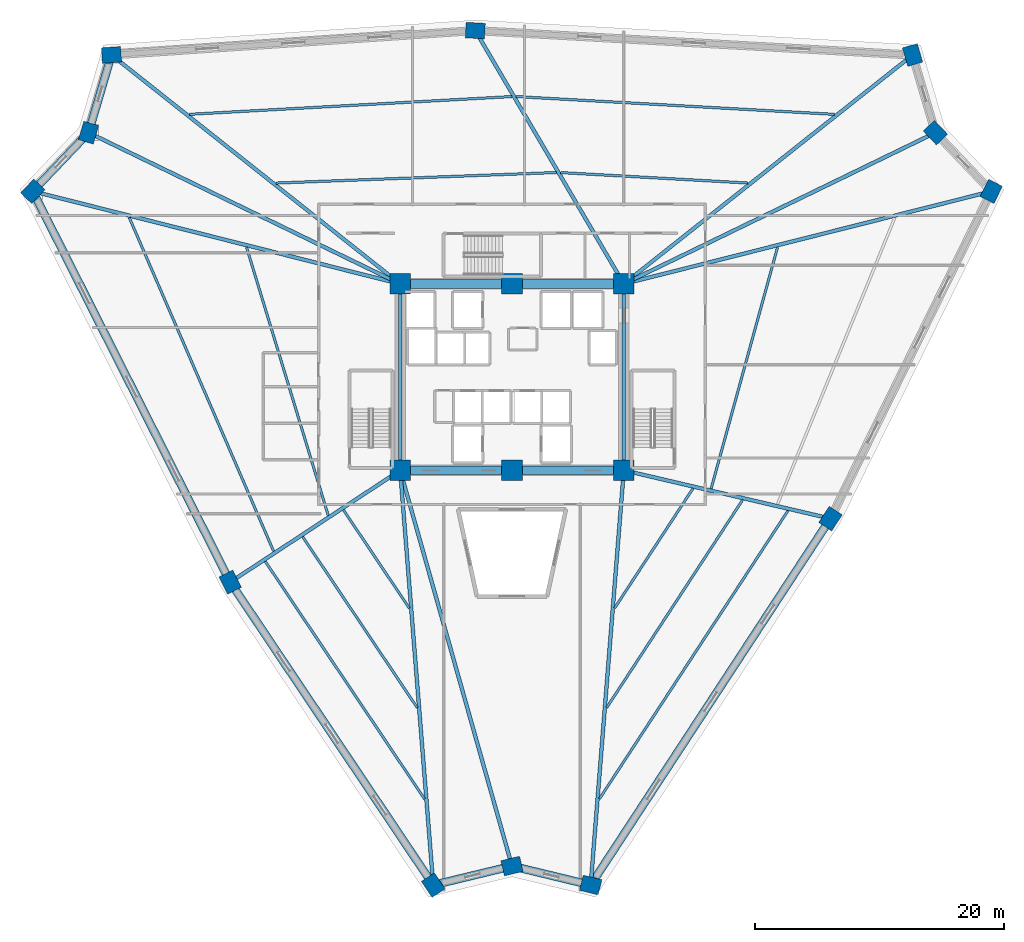
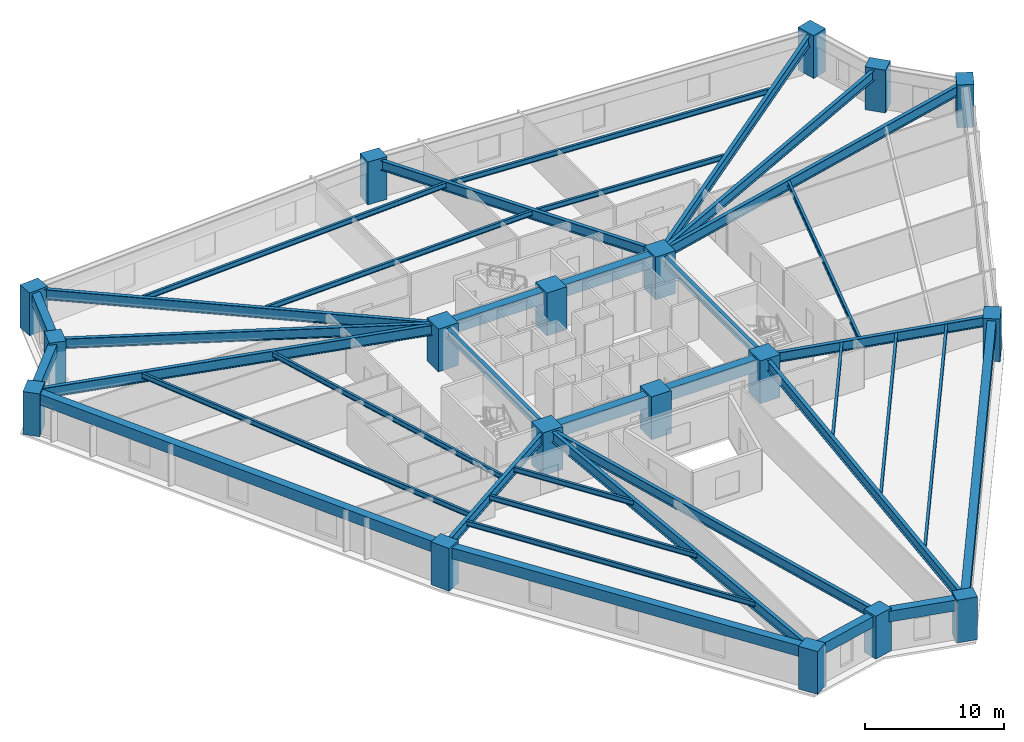
# One storey, part 1 of 11: 38 beams, 18 columns.
"""IFC4 building model written with IfcOpenShell, lengths in metres."""

import ifcopenshell
import ifcopenshell.guid

model = None  # the IFC model being written
_history = None  # IfcOwnerHistory: only IFC2X3 demands one
_inside = {}  # id of a spatial element -> (the spatial element, [elements in it])
_under = {}  # id of a project, library or spatial element -> (it, [spatial elements below it])
_declared = {}  # id of a project -> (the project, [libraries it declares])
_typed = {}  # id of a type object -> (the type object, [elements of that type])
_made_of = {}  # id of a material, layer set ... -> (it, [elements and type objects made of it])


def new_model(schema):
    """Start an empty IFC model of exactly this schema.

    Asked for "IFC4X3", IfcOpenShell would pick the latest addendum, in which some entities
    have other attributes; the version numbers below select the first issue.
    IFC2X3 requires an IfcOwnerHistory on every rooted entity: one is made here for all.
    """
    global model, _history
    if schema == "IFC4X3":
        model = ifcopenshell.file(schema_version=(4, 3, 0, 0))
    else:
        model = ifcopenshell.file(schema=schema)
    _inside.clear()
    _under.clear()
    _declared.clear()
    _typed.clear()
    _made_of.clear()
    _history = None
    if model.schema == "IFC2X3":
        org = make("IfcOrganization", Name="unknown")
        user = make(
            "IfcPersonAndOrganization",
            ThePerson=make("IfcPerson", FamilyName="unknown"),
            TheOrganization=org,
        )
        app = make(
            "IfcApplication",
            ApplicationDeveloper=org,
            Version="unknown",
            ApplicationFullName="unknown",
            ApplicationIdentifier="unknown",
        )
        _history = make(
            "IfcOwnerHistory",
            OwningUser=user,
            OwningApplication=app,
            ChangeAction="ADDED",
            CreationDate=0,
        )
    return model


def make(cls, **values):
    """One entity of the class cls with the attributes given. An attribute that is None is left unset."""
    return model.create_entity(
        cls, **{name: value for name, value in values.items() if value is not None}
    )


def rooted(cls, **values):
    """An entity with a GlobalId (a new one), such as an element, a storey or a relation."""
    return make(cls, GlobalId=ifcopenshell.guid.new(), OwnerHistory=_history, **values)


def si_unit(unit_type, name, prefix=None):
    """IfcSIUnit, for example si_unit("LENGTHUNIT", "METRE", prefix="MILLI")."""
    return make("IfcSIUnit", UnitType=unit_type, Prefix=prefix, Name=name)


def assignment(units):
    """IfcUnitAssignment: the units of a project."""
    return None if units is None else make("IfcUnitAssignment", Units=units)


def point(xyz):
    """IfcCartesianPoint."""
    return None if xyz is None else make("IfcCartesianPoint", Coordinates=xyz)


def direction(xyz):
    """IfcDirection."""
    return None if xyz is None else make("IfcDirection", DirectionRatios=xyz)


def frame(location, z_axis=None, x_axis=None):
    """IfcAxis2Placement3D, a coordinate frame: its origin and axes. An axis left out is left unset."""
    return make(
        "IfcAxis2Placement3D",
        Location=point(location),
        Axis=direction(z_axis),
        RefDirection=direction(x_axis),
    )


def frame_2d(location, x_axis=None):
    """IfcAxis2Placement2D, a coordinate frame in the plane: its origin and x axis."""
    return make(
        "IfcAxis2Placement2D", Location=point(location), RefDirection=direction(x_axis)
    )


def origin():
    """The frame at (0, 0, 0) with its axes left unset."""
    return frame((0.0, 0.0, 0.0))


def origin_2d():
    """The frame at (0, 0) in the plane with its x axis left unset."""
    return frame_2d((0.0, 0.0))


def place(relative_to, where):
    """IfcLocalPlacement: puts the frame where relative to a parent placement (None: the world)."""
    return make(
        "IfcLocalPlacement", PlacementRelTo=relative_to, RelativePlacement=where
    )


def context(
    kind, dimensions, precision=None, world=None, true_north=None, identifier=None
):
    """IfcGeometricRepresentationContext, for example the 3D "Model" context."""
    return make(
        "IfcGeometricRepresentationContext",
        ContextIdentifier=identifier,
        ContextType=kind,
        CoordinateSpaceDimension=dimensions,
        Precision=precision,
        WorldCoordinateSystem=world,
        TrueNorth=true_north,
    )


def subcontext(parent, identifier, kind, view, scale=None):
    """IfcGeometricRepresentationSubContext, for example "Body" below "Model"."""
    return make(
        "IfcGeometricRepresentationSubContext",
        ContextIdentifier=identifier,
        ContextType=kind,
        ParentContext=parent,
        TargetScale=scale,
        TargetView=view,
    )


def project(units=None, contexts=None):
    """IfcProject with its units and contexts."""
    return rooted(
        "IfcProject",
        Name="project",
        RepresentationContexts=contexts,
        UnitsInContext=assignment(units),
    )


def spatial(cls, under=None, at=None, **own):
    """A site, building, storey or space (cls), placed at a placement, below another one or the project."""
    s = rooted(cls, ObjectPlacement=at, **own)
    if under is not None:
        _under.setdefault(under.id(), (under, []))[1].append(s)
    return s


def profile(cls, at=None, kind="AREA", **sizes):
    """A parametric profile (cls). Its sizes go by their IFC names, for example OverallWidth=200.0."""
    return make(cls, ProfileType=kind, Position=at, **sizes)


def rectangle(**sizes):
    """IfcRectangleProfileDef."""
    return profile("IfcRectangleProfileDef", **sizes)


def i_section(**sizes):
    """IfcIShapeProfileDef."""
    return profile("IfcIShapeProfileDef", **sizes)


def extrude(swept, where, along, depth):
    """IfcExtrudedAreaSolid: the profile swept, set in the frame where, extruded along a direction by depth."""
    return make(
        "IfcExtrudedAreaSolid",
        SweptArea=swept,
        Position=where,
        ExtrudedDirection=direction(along),
        Depth=depth,
    )


def shape(context_of_items, identifier, shape_type, items):
    """IfcShapeRepresentation: the items that make up one representation, for example the "Body"."""
    return make(
        "IfcShapeRepresentation",
        ContextOfItems=context_of_items,
        RepresentationIdentifier=identifier,
        RepresentationType=shape_type,
        Items=items,
    )


def source(mapping_origin, context_of_items, identifier, shape_type, items):
    """IfcRepresentationMap: a shape defined once, which mapped items show again and again."""
    return make(
        "IfcRepresentationMap",
        MappingOrigin=mapping_origin,
        MappedRepresentation=shape(context_of_items, identifier, shape_type, items),
    )


def transform(
    local_origin,
    x_axis=None,
    y_axis=None,
    z_axis=None,
    scale=None,
    scale2=None,
    scale3=None,
    uniform=True,
):
    """IfcCartesianTransformationOperator3D, or its non-uniform kind. x_axis, y_axis, z_axis: its Axis1, 2, 3."""
    if uniform:
        return make(
            "IfcCartesianTransformationOperator3D",
            Axis1=direction(x_axis),
            Axis2=direction(y_axis),
            LocalOrigin=point(local_origin),
            Scale=scale,
            Axis3=direction(z_axis),
        )
    return make(
        "IfcCartesianTransformationOperator3DnonUniform",
        Axis1=direction(x_axis),
        Axis2=direction(y_axis),
        LocalOrigin=point(local_origin),
        Scale=scale,
        Axis3=direction(z_axis),
        Scale2=scale2,
        Scale3=scale3,
    )


def mapped(mapping_source, mapping_target):
    """IfcMappedItem: shows the shape of a source again, moved by a transform."""
    return make(
        "IfcMappedItem", MappingSource=mapping_source, MappingTarget=mapping_target
    )


def material(Name=None, Category=None):
    """IfcMaterial."""
    return make("IfcMaterial", Name=Name, Category=Category)


def material_profile(
    of_material, cross_section, Name=None, Category=None, Priority=None
):
    """IfcMaterialProfile: a cross section and its material."""
    return make(
        "IfcMaterialProfile",
        Name=Name,
        Material=of_material,
        Profile=cross_section,
        Priority=Priority,
        Category=Category,
    )


def profile_set(profiles, Name=None, composite=None):
    """IfcMaterialProfileSet."""
    return make(
        "IfcMaterialProfileSet",
        Name=Name,
        MaterialProfiles=profiles,
        CompositeProfile=composite,
    )


def made_of(thing, what):
    """Note that an element or type object is made of a material, layer set ...; save() writes the relation."""
    if what is not None:
        _made_of.setdefault(what.id(), (what, []))[1].append(thing)
    return thing


def type_object(cls, material=None, **own):
    """A type object (cls), such as IfcWallType, which elements share."""
    return made_of(rooted(cls, **own), material)


def element(
    cls,
    number,
    at=None,
    inside=None,
    cuts=None,
    type_object=None,
    material=None,
    context=None,
    identifier="Body",
    shape_type=None,
    held_by="IfcProductDefinitionShape",
    body=None,
    shapes=None,
    **own,
):
    """One element of the class cls, such as IfcWall. Its Tag is "e" and its number.

    at: its placement. inside: the storey or other place that contains it. cuts: it is an
    opening in that element (IfcRelVoidsElement). A single representation is given by context,
    identifier, shape_type and body (its items); several are given by shapes. held_by: the class
    of the entity that holds the representations. save() writes the other relations.
    """
    e = rooted(cls, Tag="e%d" % number, ObjectPlacement=at, **own)
    if body is not None:
        shapes = [shape(context, identifier, shape_type, body)]
    if shapes is not None:
        e.Representation = make(held_by, Representations=shapes)
    if inside is not None:
        _inside.setdefault(inside.id(), (inside, []))[1].append(e)
    if cuts is not None:
        rooted(
            "IfcRelVoidsElement", RelatingBuildingElement=cuts, RelatedOpeningElement=e
        )
    if type_object is not None:
        _typed.setdefault(type_object.id(), (type_object, []))[1].append(e)
    return made_of(e, material)


def aggregate(whole, parts):
    """IfcRelAggregates: a whole, such as a stair, and the parts it consists of."""
    return rooted("IfcRelAggregates", RelatingObject=whole, RelatedObjects=parts)


def save(model, path):
    """Write the relations noted so far, then the file.

    IfcRelAggregates (storeys below a building ...), IfcRelContainedInSpatialStructure (elements
    in a storey), IfcRelDefinesByType, IfcRelAssociatesMaterial and IfcRelDeclares: one each for
    every whole, place, type object, material and project.
    """
    for whole, parts in _under.values():
        aggregate(whole, parts)
    for where, things in _inside.values():
        rooted(
            "IfcRelContainedInSpatialStructure",
            RelatedElements=things,
            RelatingStructure=where,
        )
    for kind, things in _typed.values():
        rooted("IfcRelDefinesByType", RelatedObjects=things, RelatingType=kind)
    for what, things in _made_of.values():
        rooted("IfcRelAssociatesMaterial", RelatedObjects=things, RelatingMaterial=what)
    for by, libraries in _declared.values():
        rooted("IfcRelDeclares", RelatingContext=by, RelatedDefinitions=libraries)
    model.write(path)


model = new_model("IFC4")

# Units and contexts
model_context = context("Model", 3, precision=1e-05, world=origin(), true_north=direction((0.0, 1.0)))
body_context = subcontext(model_context, "Body", "Model", "MODEL_VIEW")
ifc_project = project(units=[si_unit("LENGTHUNIT", "METRE"), si_unit("AREAUNIT", "SQUARE_METRE"), si_unit("VOLUMEUNIT", "CUBIC_METRE"), si_unit("PLANEANGLEUNIT", "RADIAN"), si_unit("MASSUNIT", "GRAM", prefix="KILO")], contexts=[model_context])

# Site, building, storey
site_placement = place(None, origin())
site = spatial("IfcSite", under=ifc_project, at=site_placement, CompositionType="ELEMENT")
building_placement = place(site_placement, origin())
building = spatial("IfcBuilding", under=site, at=building_placement, Name="Liaohun Quay Tower", CompositionType="ELEMENT")
storey_placement = place(building_placement, frame((0.0, 0.0, 51.75)))
storey = spatial("IfcBuildingStorey", under=building, at=storey_placement, Name="L13", CompositionType="ELEMENT", Elevation=51.75)

# Columns
ifc_material_1 = material(Name="Concrete C60", Category="concrete")
ifc_material_profile_1 = material_profile(ifc_material_1, rectangle(XDim=1.64990234375, YDim=1.64990234375, at=origin_2d()), Name="RC1650x1650")
ifc_profile_set_1 = profile_set([ifc_material_profile_1], Name="Concrete C60")
column_type_1 = type_object("IfcColumnType", Name="COL-CC-Z1", PredefinedType="COLUMN", material=ifc_profile_set_1)
shared_shape_1 = source(origin(), body_context, "Body", "SweptSolid", [
    extrude(rectangle(XDim=1.64990234375, YDim=1.64990234375, at=origin_2d()), origin(), (0.0, 0.0, 1.0), 3.75),
])
for number, where, z_axis, x_axis, name in (
    (1, (51.0, 46.5, 0.0), (0.0, 0.0, 1.0), (1.0, 0.0, 0.0), "L13 Core Column CC1"),
    (2, (60.0, 46.5, 0.0), (0.0, 0.0, 1.0), (1.0, 0.0, 0.0), "L13 Core Column CC2"),
    (3, (69.0, 46.5, 0.0), (0.0, 0.0, 1.0), (1.0, 0.0, 0.0), "L13 Core Column CC3"),
    (4, (69.0, 61.5, 0.0), (0.0, 0.0, 1.0), (1.0, 0.0, 0.0), "L13 Core Column CC4"),
    (5, (60.0, 61.5, 0.0), (0.0, 0.0, 1.0), (1.0, 0.0, 0.0), "L13 Core Column CC5"),
    (6, (51.0, 61.5, 0.0), (0.0, 0.0, 1.0), (1.0, 0.0, 0.0), "L13 Core Column CC6"),
):
    element("IfcColumn", number, at=place(storey_placement, frame(where, z_axis=z_axis, x_axis=x_axis)), inside=storey, type_object=column_type_1, Name=name, PredefinedType="COLUMN", context=body_context, shape_type="MappedRepresentation", body=[
        mapped(shared_shape_1, transform((0.0, 0.0, 0.0), x_axis=(1.0, 0.0, 0.0), y_axis=(0.0, 1.0, 0.0), z_axis=(0.0, 0.0, 1.0), scale=1.0)),
    ])
ifc_material_profile_2 = material_profile(ifc_material_1, rectangle(XDim=1.550048828125, YDim=1.25, at=origin_2d()), Name="RC1550x1250")
ifc_profile_set_2 = profile_set([ifc_material_profile_2], Name="Concrete C60")
column_type_2 = type_object("IfcColumnType", Name="COL-PIER-Z1", PredefinedType="COLUMN", material=ifc_profile_set_2)
shared_shape_2 = source(origin(), body_context, "Body", "SweptSolid", [
    extrude(rectangle(XDim=1.550048828125, YDim=1.25, at=origin_2d()), origin(), (0.0, 0.0, 1.0), 3.75),
])
for number, where, z_axis, x_axis, name in (
    (7, (53.660888671875, 13.12109375, 0.0), (0.0, 0.0, 1.0), (-0.556730641675, 0.830693079675, 0.0), "L13 Perimeter Pier PC01"),
    (8, (37.323974609375, 37.4970703125, 0.0), (0.0, 0.0, 1.0), (-0.450877540689, 0.892585818452, 0.0), "L13 Perimeter Pier PC02"),
    (9, (21.43310546875, 68.955078125, 0.0), (0.0, 0.0, 1.0), (0.68936671806, 0.724412539946, 0.0), "L13 Perimeter Pier PC03"),
    (10, (25.923095703125, 73.674072265625, 0.0), (0.0, 0.0, 1.0), (0.282676303383, 0.959215360337, 0.0), "L13 Perimeter Pier PC04"),
    (11, (27.76708984375, 79.928955078125, 0.0), (0.0, 0.0, 1.0), (0.997766630584, 0.066796338919, 0.0), "L13 Perimeter Pier PC05"),
    (12, (57.0458984375, 81.888916015625, 0.0), (0.0, 0.0, 1.0), (-0.998440764182, 0.055821504993, 0.0), "L13 Perimeter Pier PC06"),
    (13, (92.235107421875, 79.923095703125, 0.0), (0.0, 0.0, 1.0), (-0.282676303383, 0.959215360337, 0.0), "L13 Perimeter Pier PC07"),
    (14, (94.076904296875, 73.674072265625, 0.0), (0.0, 0.0, 1.0), (-0.68936671806, 0.724412539946, 0.0), "L13 Perimeter Pier PC08"),
    (15, (98.572021484375, 68.949951171875, 0.0), (0.0, 0.0, 1.0), (0.441035988909, 0.897489418593, 0.0), "L13 Perimeter Pier PC09"),
    (16, (85.6298828125, 42.614013671875, 0.0), (0.0, 0.0, 1.0), (0.547563223493, 0.836764313459, 0.0), "L13 Perimeter Pier PC10"),
    (17, (66.33203125, 13.123046875, 0.0), (0.0, 0.0, 1.0), (-0.972043021443, 0.234802820391, 0.0), "L13 Perimeter Pier PC11"),
    (18, (60.0, 14.652099609375, 0.0), (0.0, 0.0, 1.0), (0.972043021443, 0.234802820391, 0.0), "L13 Perimeter Pier PC12"),
):
    element("IfcColumn", number, at=place(storey_placement, frame(where, z_axis=z_axis, x_axis=x_axis)), inside=storey, type_object=column_type_2, Name=name, PredefinedType="COLUMN", context=body_context, shape_type="MappedRepresentation", body=[
        mapped(shared_shape_2, transform((0.0, 0.0, 0.0), x_axis=(1.0, 0.0, 0.0), y_axis=(0.0, 1.0, 0.0), z_axis=(0.0, 0.0, 1.0), scale=1.0)),
    ])

# Beams
ifc_material_profile_3 = material_profile(ifc_material_1, rectangle(XDim=0.699951171875, YDim=1.050048828125, at=origin_2d()), Name="RC700x1050")
ifc_profile_set_3 = profile_set([ifc_material_profile_3], Name="Concrete C60")
beam_type_1 = type_object("IfcBeamType", Name="BM-CPL-1", PredefinedType="LINTEL", material=ifc_profile_set_3)
shared_shape_3 = source(origin(), body_context, "Body", "SweptSolid", [
    extrude(rectangle(XDim=0.699951171875, YDim=1.050048828125, at=origin_2d()), origin(), (0.0, 0.0, 1.0), 9.0),
])
for number, where, z_axis, x_axis, name in (
    (19, (51.0, 46.5, 3.044921875), (1.0, 0.0, 0.0), (0.0, 1.0, 0.0), "L13 Core Coupling/Ring Beam CC1-CC2"),
    (20, (60.0, 46.5, 3.044921875), (1.0, 0.0, 0.0), (0.0, 1.0, 0.0), "L13 Core Coupling/Ring Beam CC2-CC3"),
    (21, (69.0, 61.5, 3.044921875), (-1.0, 0.0, 0.0), (0.0, -1.0, 0.0), "L13 Core Coupling/Ring Beam CC4-CC5"),
    (22, (60.0, 61.5, 3.044921875), (-1.0, 0.0, 0.0), (0.0, -1.0, 0.0), "L13 Core Coupling/Ring Beam CC5-CC6"),
):
    element("IfcBeam", number, at=place(storey_placement, frame(where, z_axis=z_axis, x_axis=x_axis)), inside=storey, type_object=beam_type_1, Name=name, PredefinedType="LINTEL", context=body_context, shape_type="MappedRepresentation", body=[
        mapped(shared_shape_3, transform((0.0, 0.0, 0.0), x_axis=(1.0, 0.0, 0.0), y_axis=(0.0, 1.0, 0.0), z_axis=(0.0, 0.0, 1.0), scale=1.0)),
    ])
ifc_material_2 = material(Name="Steel Q355D", Category="steel")
ifc_material_profile_4 = material_profile(ifc_material_2, i_section(OverallWidth=0.300048828125, OverallDepth=0.800048828125, WebThickness=0.013916015625, FlangeThickness=0.02587890625, at=origin_2d()), Name="HN800x300x14x26")
ifc_profile_set_4 = profile_set([ifc_material_profile_4], Name="Steel Q355D")
beam_type_2 = type_object("IfcBeamType", Name="BM-RAD-M1", PredefinedType="BEAM", material=ifc_profile_set_4)
shared_shape_4 = source(origin(), body_context, "Body", "SweptSolid", [
    extrude(i_section(OverallWidth=0.300048828125, OverallDepth=0.800048828125, WebThickness=0.013916015625, FlangeThickness=0.02587890625, at=origin_2d()), origin(), (0.0, 0.0, 1.0), 15.0),
])
for number, where, z_axis, x_axis, name in (
    (23, (69.0, 46.5, 3.169921875), (0.0, 1.0, 0.0), (-1.0, 0.0, 0.0), "L13 Core Coupling/Ring Beam CC3-CC4"),
    (24, (51.0, 61.5, 3.169921875), (0.0, -1.0, 0.0), (1.0, 0.0, 0.0), "L13 Core Coupling/Ring Beam CC6-CC1"),
):
    element("IfcBeam", number, at=place(storey_placement, frame(where, z_axis=z_axis, x_axis=x_axis)), inside=storey, type_object=beam_type_2, Name=name, PredefinedType="BEAM", context=body_context, shape_type="MappedRepresentation", body=[
        mapped(shared_shape_4, transform((0.0, 0.0, 0.0), x_axis=(1.0, 0.0, 0.0), y_axis=(0.0, 1.0, 0.0), z_axis=(0.0, 0.0, 1.0), scale=1.0)),
    ])
ifc_material_3 = material(Name="Steel Q420D", Category="steel")
ifc_material_profile_5 = material_profile(ifc_material_3, i_section(OverallWidth=0.300048828125, OverallDepth=0.89990234375, WebThickness=0.01611328125, FlangeThickness=0.028076171875, at=origin_2d()), Name="HN900x300x16x28")
ifc_profile_set_5 = profile_set([ifc_material_profile_5], Name="Steel Q420D")
beam_type_3 = type_object("IfcBeamType", Name="BM-RAD-H1", PredefinedType="BEAM", material=ifc_profile_set_5)
shared_shape_5 = source(origin(), body_context, "Body", "SweptSolid", [
    extrude(i_section(OverallWidth=0.300048828125, OverallDepth=0.89990234375, WebThickness=0.01611328125, FlangeThickness=0.028076171875, at=origin_2d()), origin(), (0.0, 0.0, 1.0), 33.48486328125),
])
beam_1_placement = place(storey_placement, frame((51.0, 46.5, 3.1201171875), z_axis=(0.079465572867, -0.996837611012, 0.0), x_axis=(0.996837611012, 0.079465572867, 0.0)))
element("IfcBeam", 25, at=beam_1_placement, inside=storey, type_object=beam_type_3, Name="L13 Radial Primary Girder CC1-PC01", PredefinedType="BEAM", context=body_context, shape_type="MappedRepresentation", body=[
    mapped(shared_shape_5, transform((0.0, 0.0, 0.0), x_axis=(1.0, 0.0, 0.0), y_axis=(0.0, 1.0, 0.0), z_axis=(0.0, 0.0, 1.0), scale=1.0)),
])
ifc_material_profile_6 = material_profile(ifc_material_2, i_section(OverallWidth=0.300048828125, OverallDepth=0.85009765625, WebThickness=0.01611328125, FlangeThickness=0.028076171875, at=origin_2d()), Name="HN850x300x16x28")
ifc_profile_set_6 = profile_set([ifc_material_profile_6], Name="Steel Q355D")
beam_type_4 = type_object("IfcBeamType", Name="BM-RAD-H2", PredefinedType="BEAM", material=ifc_profile_set_6)
shared_shape_6 = source(origin(), body_context, "Body", "SweptSolid", [
    extrude(i_section(OverallWidth=0.300048828125, OverallDepth=0.85009765625, WebThickness=0.01611328125, FlangeThickness=0.028076171875, at=origin_2d()), origin(), (0.0, 0.0, 1.0), 16.373291015625),
])
beam_2_placement = place(storey_placement, frame((51.0, 46.5, 3.14501953125), z_axis=(-0.835261562215, -0.549852819113, 0.0), x_axis=(0.549852819113, -0.835261562215, 0.0)))
element("IfcBeam", 26, at=beam_2_placement, inside=storey, type_object=beam_type_4, Name="L13 Radial Primary Girder CC1-PC02", PredefinedType="BEAM", context=body_context, shape_type="MappedRepresentation", body=[
    mapped(shared_shape_6, transform((0.0, 0.0, 0.0), x_axis=(1.0, 0.0, 0.0), y_axis=(0.0, 1.0, 0.0), z_axis=(0.0, 0.0, 1.0), scale=1.0)),
])
shared_shape_7 = source(origin(), body_context, "Body", "SweptSolid", [
    extrude(i_section(OverallWidth=0.300048828125, OverallDepth=0.89990234375, WebThickness=0.01611328125, FlangeThickness=0.028076171875, at=origin_2d()), origin(), (0.0, 0.0, 1.0), 30.4921875),
])
beam_3_placement = place(storey_placement, frame((51.0, 61.5, 3.1201171875), z_axis=(-0.969651653531, 0.244490635412, 0.0), x_axis=(-0.244490635412, -0.969651653531, 0.0)))
element("IfcBeam", 27, at=beam_3_placement, inside=storey, type_object=beam_type_3, Name="L13 Radial Primary Girder CC6-PC03", PredefinedType="BEAM", context=body_context, shape_type="MappedRepresentation", body=[
    mapped(shared_shape_7, transform((0.0, 0.0, 0.0), x_axis=(1.0, 0.0, 0.0), y_axis=(0.0, 1.0, 0.0), z_axis=(0.0, 0.0, 1.0), scale=1.0)),
])
shared_shape_8 = source(origin(), body_context, "Body", "SweptSolid", [
    extrude(i_section(OverallWidth=0.300048828125, OverallDepth=0.85009765625, WebThickness=0.01611328125, FlangeThickness=0.028076171875, at=origin_2d()), origin(), (0.0, 0.0, 1.0), 27.875732421875),
])
for number, where, z_axis, x_axis, name in (
    (28, (51.0, 61.5, 3.14501953125), (-0.899594681296, 0.436725782825, 0.0), (-0.436725782825, -0.899594681296, 0.0), "L13 Radial Primary Girder CC6-PC04"),
    (29, (69.0, 61.5, 3.14501953125), (0.899594681296, 0.436725782825, 0.0), (-0.436725782825, 0.899594681296, 0.0), "L13 Radial Primary Girder CC4-PC08"),
):
    element("IfcBeam", number, at=place(storey_placement, frame(where, z_axis=z_axis, x_axis=x_axis)), inside=storey, type_object=beam_type_4, Name=name, PredefinedType="BEAM", context=body_context, shape_type="MappedRepresentation", body=[
        mapped(shared_shape_8, transform((0.0, 0.0, 0.0), x_axis=(1.0, 0.0, 0.0), y_axis=(0.0, 1.0, 0.0), z_axis=(0.0, 0.0, 1.0), scale=1.0)),
    ])
shared_shape_9 = source(origin(), body_context, "Body", "SweptSolid", [
    extrude(i_section(OverallWidth=0.300048828125, OverallDepth=0.89990234375, WebThickness=0.01611328125, FlangeThickness=0.028076171875, at=origin_2d()), origin(), (0.0, 0.0, 1.0), 29.654541015625),
])
beam_4_placement = place(storey_placement, frame((51.0, 61.5, 3.1201171875), z_axis=(-0.783450821948, 0.621453787171, 0.0), x_axis=(-0.621453787171, -0.783450821948, 0.0)))
element("IfcBeam", 30, at=beam_4_placement, inside=storey, type_object=beam_type_3, Name="L13 Radial Primary Girder CC6-PC05", PredefinedType="BEAM", context=body_context, shape_type="MappedRepresentation", body=[
    mapped(shared_shape_9, transform((0.0, 0.0, 0.0), x_axis=(1.0, 0.0, 0.0), y_axis=(0.0, 1.0, 0.0), z_axis=(0.0, 0.0, 1.0), scale=1.0)),
])
shared_shape_10 = source(origin(), body_context, "Body", "SweptSolid", [
    extrude(i_section(OverallWidth=0.300048828125, OverallDepth=0.85009765625, WebThickness=0.01611328125, FlangeThickness=0.028076171875, at=origin_2d()), origin(), (0.0, 0.0, 1.0), 23.635009765625),
])
beam_5_placement = place(storey_placement, frame((69.0, 61.5, 3.14501953125), z_axis=(-0.505781796339, 0.862661448363, 0.0), x_axis=(-0.862661448363, -0.505781796339, 0.0)))
element("IfcBeam", 31, at=beam_5_placement, inside=storey, type_object=beam_type_4, Name="L13 Radial Primary Girder CC4-PC06", PredefinedType="BEAM", context=body_context, shape_type="MappedRepresentation", body=[
    mapped(shared_shape_10, transform((0.0, 0.0, 0.0), x_axis=(1.0, 0.0, 0.0), y_axis=(0.0, 1.0, 0.0), z_axis=(0.0, 0.0, 1.0), scale=1.0)),
])
shared_shape_11 = source(origin(), body_context, "Body", "SweptSolid", [
    extrude(i_section(OverallWidth=0.300048828125, OverallDepth=0.89990234375, WebThickness=0.01611328125, FlangeThickness=0.028076171875, at=origin_2d()), origin(), (0.0, 0.0, 1.0), 29.652587890625),
])
beam_6_placement = place(storey_placement, frame((69.0, 61.5, 3.1201171875), z_axis=(0.783575631278, 0.621296410796, 0.0), x_axis=(-0.621296410796, 0.783575631278, 0.0)))
element("IfcBeam", 32, at=beam_6_placement, inside=storey, type_object=beam_type_3, Name="L13 Radial Primary Girder CC4-PC07", PredefinedType="BEAM", context=body_context, shape_type="MappedRepresentation", body=[
    mapped(shared_shape_11, transform((0.0, 0.0, 0.0), x_axis=(1.0, 0.0, 0.0), y_axis=(0.0, 1.0, 0.0), z_axis=(0.0, 0.0, 1.0), scale=1.0)),
])
shared_shape_12 = source(origin(), body_context, "Body", "SweptSolid", [
    extrude(i_section(OverallWidth=0.300048828125, OverallDepth=0.89990234375, WebThickness=0.01611328125, FlangeThickness=0.028076171875, at=origin_2d()), origin(), (0.0, 0.0, 1.0), 30.49609375),
])
beam_7_placement = place(storey_placement, frame((69.0, 61.5, 3.1201171875), z_axis=(0.96970153881, 0.244292704821, 0.0), x_axis=(-0.244292704821, 0.96970153881, 0.0)))
element("IfcBeam", 33, at=beam_7_placement, inside=storey, type_object=beam_type_3, Name="L13 Radial Primary Girder CC4-PC09", PredefinedType="BEAM", context=body_context, shape_type="MappedRepresentation", body=[
    mapped(shared_shape_12, transform((0.0, 0.0, 0.0), x_axis=(1.0, 0.0, 0.0), y_axis=(0.0, 1.0, 0.0), z_axis=(0.0, 0.0, 1.0), scale=1.0)),
])
shared_shape_13 = source(origin(), body_context, "Body", "SweptSolid", [
    extrude(i_section(OverallWidth=0.300048828125, OverallDepth=0.85009765625, WebThickness=0.01611328125, FlangeThickness=0.028076171875, at=origin_2d()), origin(), (0.0, 0.0, 1.0), 17.077880859375),
])
beam_8_placement = place(storey_placement, frame((69.0, 46.5, 3.14501953125), z_axis=(0.973767556011, -0.227545043588, 0.0), x_axis=(0.227545043588, 0.973767556011, 0.0)))
element("IfcBeam", 34, at=beam_8_placement, inside=storey, type_object=beam_type_4, Name="L13 Radial Primary Girder CC3-PC10", PredefinedType="BEAM", context=body_context, shape_type="MappedRepresentation", body=[
    mapped(shared_shape_13, transform((0.0, 0.0, 0.0), x_axis=(1.0, 0.0, 0.0), y_axis=(0.0, 1.0, 0.0), z_axis=(0.0, 0.0, 1.0), scale=1.0)),
])
shared_shape_14 = source(origin(), body_context, "Body", "SweptSolid", [
    extrude(i_section(OverallWidth=0.300048828125, OverallDepth=0.89990234375, WebThickness=0.01611328125, FlangeThickness=0.028076171875, at=origin_2d()), origin(), (0.0, 0.0, 1.0), 33.4833984375),
])
beam_9_placement = place(storey_placement, frame((69.0, 46.5, 3.1201171875), z_axis=(-0.079680306721, -0.996820469654, 0.0), x_axis=(0.996820469654, -0.079680306721, 0.0)))
element("IfcBeam", 35, at=beam_9_placement, inside=storey, type_object=beam_type_3, Name="L13 Radial Primary Girder CC3-PC11", PredefinedType="BEAM", context=body_context, shape_type="MappedRepresentation", body=[
    mapped(shared_shape_14, transform((0.0, 0.0, 0.0), x_axis=(1.0, 0.0, 0.0), y_axis=(0.0, 1.0, 0.0), z_axis=(0.0, 0.0, 1.0), scale=1.0)),
])
shared_shape_15 = source(origin(), body_context, "Body", "SweptSolid", [
    extrude(i_section(OverallWidth=0.300048828125, OverallDepth=0.85009765625, WebThickness=0.01611328125, FlangeThickness=0.028076171875, at=origin_2d()), origin(), (0.0, 0.0, 1.0), 33.09521484375),
])
beam_10_placement = place(storey_placement, frame((51.0, 46.5, 3.14501953125), z_axis=(0.271943194033, -0.962313306163, 0.0), x_axis=(0.962313306163, 0.271943194033, 0.0)))
element("IfcBeam", 36, at=beam_10_placement, inside=storey, type_object=beam_type_4, Name="L13 Radial Primary Girder CC1-PC12", PredefinedType="BEAM", context=body_context, shape_type="MappedRepresentation", body=[
    mapped(shared_shape_15, transform((0.0, 0.0, 0.0), x_axis=(1.0, 0.0, 0.0), y_axis=(0.0, 1.0, 0.0), z_axis=(0.0, 0.0, 1.0), scale=1.0)),
])
ifc_material_profile_7 = material_profile(ifc_material_2, i_section(OverallWidth=0.199951171875, OverallDepth=0.449951171875, WebThickness=0.009033203125, FlangeThickness=0.013916015625, at=origin_2d()), Name="HN450x200x9x14")
ifc_profile_set_7 = profile_set([ifc_material_profile_7], Name="Steel Q355D")
beam_type_5 = type_object("IfcBeamType", Name="BM-SEC-J1", PredefinedType="JOIST", material=ifc_profile_set_7)
shared_shape_16 = source(origin(), body_context, "Body", "SweptSolid", [
    extrude(i_section(OverallWidth=0.199951171875, OverallDepth=0.449951171875, WebThickness=0.009033203125, FlangeThickness=0.013916015625, at=origin_2d()), origin(), (0.0, 0.0, 1.0), 9.51953125),
])
beam_11_placement = place(storey_placement, frame((51.73388671875, 35.406005859375, 3.344970703125), z_axis=(-0.556722613458, 0.830698460131, 0.0), x_axis=(-0.830698460131, -0.556722613458, 0.0)))
element("IfcBeam", 37, at=beam_11_placement, inside=storey, type_object=beam_type_5, Name="L13 Wing Secondary Floor Joist SJ-01", PredefinedType="JOIST", context=body_context, shape_type="MappedRepresentation", body=[
    mapped(shared_shape_16, transform((0.0, 0.0, 0.0), x_axis=(1.0, 0.0, 0.0), y_axis=(0.0, 1.0, 0.0), z_axis=(0.0, 0.0, 1.0), scale=1.0)),
])
shared_shape_17 = source(origin(), body_context, "Body", "SweptSolid", [
    extrude(i_section(OverallWidth=0.199951171875, OverallDepth=0.449951171875, WebThickness=0.009033203125, FlangeThickness=0.013916015625, at=origin_2d()), origin(), (0.0, 0.0, 1.0), 16.563720703125),
])
beam_12_placement = place(storey_placement, frame((52.373046875, 27.39501953125, 3.344970703125), z_axis=(-0.556766535682, 0.830669022382, 0.0), x_axis=(-0.830669022382, -0.556766535682, 0.0)))
element("IfcBeam", 38, at=beam_12_placement, inside=storey, type_object=beam_type_5, Name="L13 Wing Secondary Floor Joist SJ-02", PredefinedType="JOIST", context=body_context, shape_type="MappedRepresentation", body=[
    mapped(shared_shape_17, transform((0.0, 0.0, 0.0), x_axis=(1.0, 0.0, 0.0), y_axis=(0.0, 1.0, 0.0), z_axis=(0.0, 0.0, 1.0), scale=1.0)),
])
shared_shape_18 = source(origin(), body_context, "Body", "SweptSolid", [
    extrude(i_section(OverallWidth=0.199951171875, OverallDepth=0.449951171875, WebThickness=0.009033203125, FlangeThickness=0.013916015625, at=origin_2d()), origin(), (0.0, 0.0, 1.0), 23.018310546875),
])
beam_13_placement = place(storey_placement, frame((52.9580078125, 20.052001953125, 3.344970703125), z_axis=(-0.556730076877, 0.830693458202, 0.0), x_axis=(-0.830693458202, -0.556730076877, 0.0)))
element("IfcBeam", 39, at=beam_13_placement, inside=storey, type_object=beam_type_5, Name="L13 Wing Secondary Floor Joist SJ-03", PredefinedType="JOIST", context=body_context, shape_type="MappedRepresentation", body=[
    mapped(shared_shape_18, transform((0.0, 0.0, 0.0), x_axis=(1.0, 0.0, 0.0), y_axis=(0.0, 1.0, 0.0), z_axis=(0.0, 0.0, 1.0), scale=1.0)),
])
shared_shape_19 = source(origin(), body_context, "Body", "SweptSolid", [
    extrude(i_section(OverallWidth=0.199951171875, OverallDepth=0.449951171875, WebThickness=0.009033203125, FlangeThickness=0.013916015625, at=origin_2d()), origin(), (0.0, 0.0, 1.0), 22.57568359375),
])
beam_14_placement = place(storey_placement, frame((45.2109375, 42.867919921875, 3.344970703125), z_axis=(-0.291369456601, 0.956610599858, 0.0), x_axis=(-0.956610599858, -0.291369456601, 0.0)))
element("IfcBeam", 40, at=beam_14_placement, inside=storey, type_object=beam_type_5, Name="L13 Wing Secondary Floor Joist SJ-04", PredefinedType="JOIST", context=body_context, shape_type="MappedRepresentation", body=[
    mapped(shared_shape_19, transform((0.0, 0.0, 0.0), x_axis=(1.0, 0.0, 0.0), y_axis=(0.0, 1.0, 0.0), z_axis=(0.0, 0.0, 1.0), scale=1.0)),
])
shared_shape_20 = source(origin(), body_context, "Body", "SweptSolid", [
    extrude(i_section(OverallWidth=0.199951171875, OverallDepth=0.449951171875, WebThickness=0.009033203125, FlangeThickness=0.013916015625, at=origin_2d()), origin(), (0.0, 0.0, 1.0), 29.271484375),
])
beam_15_placement = place(storey_placement, frame((40.819091796875, 39.97802734375, 3.344970703125), z_axis=(-0.397076743854, 0.917785410371, 0.0), x_axis=(-0.917785410371, -0.397076743854, 0.0)))
element("IfcBeam", 41, at=beam_15_placement, inside=storey, type_object=beam_type_5, Name="L13 Wing Secondary Floor Joist SJ-05", PredefinedType="JOIST", context=body_context, shape_type="MappedRepresentation", body=[
    mapped(shared_shape_20, transform((0.0, 0.0, 0.0), x_axis=(1.0, 0.0, 0.0), y_axis=(0.0, 1.0, 0.0), z_axis=(0.0, 0.0, 1.0), scale=1.0)),
])
shared_shape_21 = source(origin(), body_context, "Body", "SweptSolid", [
    extrude(i_section(OverallWidth=0.199951171875, OverallDepth=0.449951171875, WebThickness=0.009033203125, FlangeThickness=0.013916015625, at=origin_2d()), origin(), (0.0, 0.0, 1.0), 22.577880859375),
])
beam_16_placement = place(storey_placement, frame((41.008056640625, 69.616943359375, 3.344970703125), z_axis=(0.999294179764, 0.037565173897, 0.0), x_axis=(-0.037565173897, 0.999294179764, 0.0)))
element("IfcBeam", 42, at=beam_16_placement, inside=storey, type_object=beam_type_5, Name="L13 Wing Secondary Floor Joist SJ-06", PredefinedType="JOIST", context=body_context, shape_type="MappedRepresentation", body=[
    mapped(shared_shape_21, transform((0.0, 0.0, 0.0), x_axis=(1.0, 0.0, 0.0), y_axis=(0.0, 1.0, 0.0), z_axis=(0.0, 0.0, 1.0), scale=1.0)),
])
shared_shape_22 = source(origin(), body_context, "Body", "SweptSolid", [
    extrude(i_section(OverallWidth=0.199951171875, OverallDepth=0.449951171875, WebThickness=0.009033203125, FlangeThickness=0.013916015625, at=origin_2d()), origin(), (0.0, 0.0, 1.0), 25.992431640625),
])
beam_17_placement = place(storey_placement, frame((34.032958984375, 75.14990234375, 3.344970703125), z_axis=(0.998487171014, 0.054985173645, 0.0), x_axis=(-0.054985173645, 0.998487171014, 0.0)))
element("IfcBeam", 43, at=beam_17_placement, inside=storey, type_object=beam_type_5, Name="L13 Wing Secondary Floor Joist SJ-07", PredefinedType="JOIST", context=body_context, shape_type="MappedRepresentation", body=[
    mapped(shared_shape_22, transform((0.0, 0.0, 0.0), x_axis=(1.0, 0.0, 0.0), y_axis=(0.0, 1.0, 0.0), z_axis=(0.0, 0.0, 1.0), scale=1.0)),
])
shared_shape_23 = source(origin(), body_context, "Body", "SweptSolid", [
    extrude(i_section(OverallWidth=0.199951171875, OverallDepth=0.449951171875, WebThickness=0.009033203125, FlangeThickness=0.013916015625, at=origin_2d()), origin(), (0.0, 0.0, 1.0), 15.1015625),
])
beam_18_placement = place(storey_placement, frame((63.919921875, 70.4609375, 3.344970703125), z_axis=(0.998444294289, -0.055758328546, 0.0), x_axis=(0.055758328546, 0.998444294289, 0.0)))
element("IfcBeam", 44, at=beam_18_placement, inside=storey, type_object=beam_type_5, Name="L13 Wing Secondary Floor Joist SJ-08", PredefinedType="JOIST", context=body_context, shape_type="MappedRepresentation", body=[
    mapped(shared_shape_23, transform((0.0, 0.0, 0.0), x_axis=(1.0, 0.0, 0.0), y_axis=(0.0, 1.0, 0.0), z_axis=(0.0, 0.0, 1.0), scale=1.0)),
])
shared_shape_24 = source(origin(), body_context, "Body", "SweptSolid", [
    extrude(i_section(OverallWidth=0.199951171875, OverallDepth=0.449951171875, WebThickness=0.009033203125, FlangeThickness=0.013916015625, at=origin_2d()), origin(), (0.0, 0.0, 1.0), 25.674072265625),
])
beam_19_placement = place(storey_placement, frame((60.333984375, 76.577880859375, 3.344970703125), z_axis=(0.998443542047, -0.055771797043, 0.0), x_axis=(0.055771797043, 0.998443542047, 0.0)))
element("IfcBeam", 45, at=beam_19_placement, inside=storey, type_object=beam_type_5, Name="L13 Wing Secondary Floor Joist SJ-09", PredefinedType="JOIST", context=body_context, shape_type="MappedRepresentation", body=[
    mapped(shared_shape_24, transform((0.0, 0.0, 0.0), x_axis=(1.0, 0.0, 0.0), y_axis=(0.0, 1.0, 0.0), z_axis=(0.0, 0.0, 1.0), scale=1.0)),
])
shared_shape_25 = source(origin(), body_context, "Body", "SweptSolid", [
    extrude(i_section(OverallWidth=0.199951171875, OverallDepth=0.449951171875, WebThickness=0.009033203125, FlangeThickness=0.013916015625, at=origin_2d()), origin(), (0.0, 0.0, 1.0), 20.172607421875),
])
beam_20_placement = place(storey_placement, frame((81.375, 64.462890625, 3.344970703125), z_axis=(-0.265264216074, -0.96417575974, 0.0), x_axis=(0.96417575974, -0.265264216074, 0.0)))
element("IfcBeam", 46, at=beam_20_placement, inside=storey, type_object=beam_type_5, Name="L13 Wing Secondary Floor Joist SJ-10", PredefinedType="JOIST", context=body_context, shape_type="MappedRepresentation", body=[
    mapped(shared_shape_25, transform((0.0, 0.0, 0.0), x_axis=(1.0, 0.0, 0.0), y_axis=(0.0, 1.0, 0.0), z_axis=(0.0, 0.0, 1.0), scale=1.0)),
])
shared_shape_26 = source(origin(), body_context, "Body", "SweptSolid", [
    extrude(i_section(OverallWidth=0.199951171875, OverallDepth=0.449951171875, WebThickness=0.009033203125, FlangeThickness=0.013916015625, at=origin_2d()), origin(), (0.0, 0.0, 1.0), 11.510009765625),
])
beam_21_placement = place(storey_placement, frame((74.56689453125, 45.044921875, 3.344970703125), z_axis=(-0.547607066281, -0.836735621902, 0.0), x_axis=(0.836735621902, -0.547607066281, 0.0)))
element("IfcBeam", 47, at=beam_21_placement, inside=storey, type_object=beam_type_5, Name="L13 Wing Secondary Floor Joist SJ-12", PredefinedType="JOIST", context=body_context, shape_type="MappedRepresentation", body=[
    mapped(shared_shape_26, transform((0.0, 0.0, 0.0), x_axis=(1.0, 0.0, 0.0), y_axis=(0.0, 1.0, 0.0), z_axis=(0.0, 0.0, 1.0), scale=1.0)),
])
shared_shape_27 = source(origin(), body_context, "Body", "SweptSolid", [
    extrude(i_section(OverallWidth=0.199951171875, OverallDepth=0.449951171875, WebThickness=0.009033203125, FlangeThickness=0.013916015625, at=origin_2d()), origin(), (0.0, 0.0, 1.0), 19.969482421875),
])
beam_22_placement = place(storey_placement, frame((78.55810546875, 44.113037109375, 3.344970703125), z_axis=(-0.54754183506, -0.836778309267, 0.0), x_axis=(0.836778309267, -0.54754183506, 0.0)))
element("IfcBeam", 48, at=beam_22_placement, inside=storey, type_object=beam_type_5, Name="L13 Wing Secondary Floor Joist SJ-13", PredefinedType="JOIST", context=body_context, shape_type="MappedRepresentation", body=[
    mapped(shared_shape_27, transform((0.0, 0.0, 0.0), x_axis=(1.0, 0.0, 0.0), y_axis=(0.0, 1.0, 0.0), z_axis=(0.0, 0.0, 1.0), scale=1.0)),
])
shared_shape_28 = source(origin(), body_context, "Body", "SweptSolid", [
    extrude(i_section(OverallWidth=0.199951171875, OverallDepth=0.449951171875, WebThickness=0.009033203125, FlangeThickness=0.013916015625, at=origin_2d()), origin(), (0.0, 0.0, 1.0), 27.72314453125),
])
beam_23_placement = place(storey_placement, frame((82.217041015625, 43.258056640625, 3.344970703125), z_axis=(-0.54755279495, -0.836771137613, 0.0), x_axis=(0.836771137613, -0.54755279495, 0.0)))
element("IfcBeam", 49, at=beam_23_placement, inside=storey, type_object=beam_type_5, Name="L13 Wing Secondary Floor Joist SJ-14", PredefinedType="JOIST", context=body_context, shape_type="MappedRepresentation", body=[
    mapped(shared_shape_28, transform((0.0, 0.0, 0.0), x_axis=(1.0, 0.0, 0.0), y_axis=(0.0, 1.0, 0.0), z_axis=(0.0, 0.0, 1.0), scale=1.0)),
])
ifc_material_4 = material(Name="Precast concrete C55", Category="concrete")
ifc_material_profile_8 = material_profile(ifc_material_4, rectangle(XDim=0.64990234375, YDim=0.949951171875, at=origin_2d()), Name="RC650x950")
ifc_profile_set_8 = profile_set([ifc_material_profile_8], Name="Precast concrete C55")
beam_type_6 = type_object("IfcBeamType", Name="BM-SPD-Z1", PredefinedType="SPANDREL", material=ifc_profile_set_8)
shared_shape_29 = source(origin(), body_context, "Body", "SweptSolid", [
    extrude(rectangle(XDim=0.64990234375, YDim=0.949951171875, at=origin_2d()), origin(), (0.0, 0.0, 1.0), 29.34423828125),
])
beam_24_placement = place(storey_placement, frame((53.660888671875, 13.12109375, 3.094970703125), z_axis=(-0.556733709808, 0.830691023404, 0.0), x_axis=(-0.830691023404, -0.556733709808, 0.0)))
element("IfcBeam", 50, at=beam_24_placement, inside=storey, type_object=beam_type_6, Name="L13 Precast Spandrel Beam PC01-PC02", PredefinedType="SPANDREL", context=body_context, shape_type="MappedRepresentation", body=[
    mapped(shared_shape_29, transform((0.0, 0.0, 0.0), x_axis=(1.0, 0.0, 0.0), y_axis=(0.0, 1.0, 0.0), z_axis=(0.0, 0.0, 1.0), scale=1.0)),
])
shared_shape_30 = source(origin(), body_context, "Body", "SweptSolid", [
    extrude(rectangle(XDim=0.64990234375, YDim=0.949951171875, at=origin_2d()), origin(), (0.0, 0.0, 1.0), 35.243896484375),
])
for number, where, z_axis, x_axis, name in (
    (51, (37.323974609375, 37.4970703125, 3.094970703125), (-0.450884004902, 0.892582553114, 0.0), (-0.892582553114, -0.450884004902, 0.0), "L13 Precast Spandrel Beam PC02-PC03"),
    (52, (85.6298828125, 42.614013671875, 3.094970703125), (-0.547553362631, -0.836770766143, 0.0), (0.836770766143, -0.547553362631, 0.0), "L13 Precast Spandrel Beam PC10-PC11"),
):
    element("IfcBeam", number, at=place(storey_placement, frame(where, z_axis=z_axis, x_axis=x_axis)), inside=storey, type_object=beam_type_6, Name=name, PredefinedType="SPANDREL", context=body_context, shape_type="MappedRepresentation", body=[
        mapped(shared_shape_30, transform((0.0, 0.0, 0.0), x_axis=(1.0, 0.0, 0.0), y_axis=(0.0, 1.0, 0.0), z_axis=(0.0, 0.0, 1.0), scale=1.0)),
    ])
shared_shape_31 = source(origin(), body_context, "Body", "SweptSolid", [
    extrude(rectangle(XDim=0.64990234375, YDim=0.949951171875, at=origin_2d()), origin(), (0.0, 0.0, 1.0), 6.513671875),
])
beam_25_placement = place(storey_placement, frame((21.43310546875, 68.955078125, 3.094970703125), z_axis=(0.689309744559, 0.724466752899, 0.0), x_axis=(-0.724466752899, 0.689309744559, 0.0)))
element("IfcBeam", 53, at=beam_25_placement, inside=storey, type_object=beam_type_6, Name="L13 Precast Spandrel Beam PC03-PC04", PredefinedType="SPANDREL", context=body_context, shape_type="MappedRepresentation", body=[
    mapped(shared_shape_31, transform((0.0, 0.0, 0.0), x_axis=(1.0, 0.0, 0.0), y_axis=(0.0, 1.0, 0.0), z_axis=(0.0, 0.0, 1.0), scale=1.0)),
])
shared_shape_32 = source(origin(), body_context, "Body", "SweptSolid", [
    extrude(rectangle(XDim=0.64990234375, YDim=0.949951171875, at=origin_2d()), origin(), (0.0, 0.0, 1.0), 6.52099609375),
])
beam_26_placement = place(storey_placement, frame((25.923095703125, 73.674072265625, 3.094970703125), z_axis=(0.282776378716, 0.959185862928, 0.0), x_axis=(-0.959185862928, 0.282776378716, 0.0)))
element("IfcBeam", 54, at=beam_26_placement, inside=storey, type_object=beam_type_6, Name="L13 Precast Spandrel Beam PC04-PC05", PredefinedType="SPANDREL", context=body_context, shape_type="MappedRepresentation", body=[
    mapped(shared_shape_32, transform((0.0, 0.0, 0.0), x_axis=(1.0, 0.0, 0.0), y_axis=(0.0, 1.0, 0.0), z_axis=(0.0, 0.0, 1.0), scale=1.0)),
])
shared_shape_33 = source(origin(), body_context, "Body", "SweptSolid", [
    extrude(rectangle(XDim=0.64990234375, YDim=0.949951171875, at=origin_2d()), origin(), (0.0, 0.0, 1.0), 6.513916015625),
])
beam_27_placement = place(storey_placement, frame((66.33203125, 13.123046875, 3.094970703125), z_axis=(-0.972060095751, 0.234732124448, 0.0), x_axis=(-0.234732124448, -0.972060095751, 0.0)))
element("IfcBeam", 55, at=beam_27_placement, inside=storey, type_object=beam_type_6, Name="L13 Precast Spandrel Beam PC11-PC12", PredefinedType="SPANDREL", context=body_context, shape_type="MappedRepresentation", body=[
    mapped(shared_shape_33, transform((0.0, 0.0, 0.0), x_axis=(1.0, 0.0, 0.0), y_axis=(0.0, 1.0, 0.0), z_axis=(0.0, 0.0, 1.0), scale=1.0)),
])
shared_shape_34 = source(origin(), body_context, "Body", "SweptSolid", [
    extrude(rectangle(XDim=0.64990234375, YDim=0.949951171875, at=origin_2d()), origin(), (0.0, 0.0, 1.0), 6.521484375),
])
beam_28_placement = place(storey_placement, frame((60.0, 14.652099609375, 3.094970703125), z_axis=(-0.972051577674, -0.234767396249, 0.0), x_axis=(0.234767396249, -0.972051577674, 0.0)))
element("IfcBeam", 56, at=beam_28_placement, inside=storey, type_object=beam_type_6, Name="L13 Precast Spandrel Beam PC12-PC01", PredefinedType="SPANDREL", context=body_context, shape_type="MappedRepresentation", body=[
    mapped(shared_shape_34, transform((0.0, 0.0, 0.0), x_axis=(1.0, 0.0, 0.0), y_axis=(0.0, 1.0, 0.0), z_axis=(0.0, 0.0, 1.0), scale=1.0)),
])

save(model, "model.ifc")
